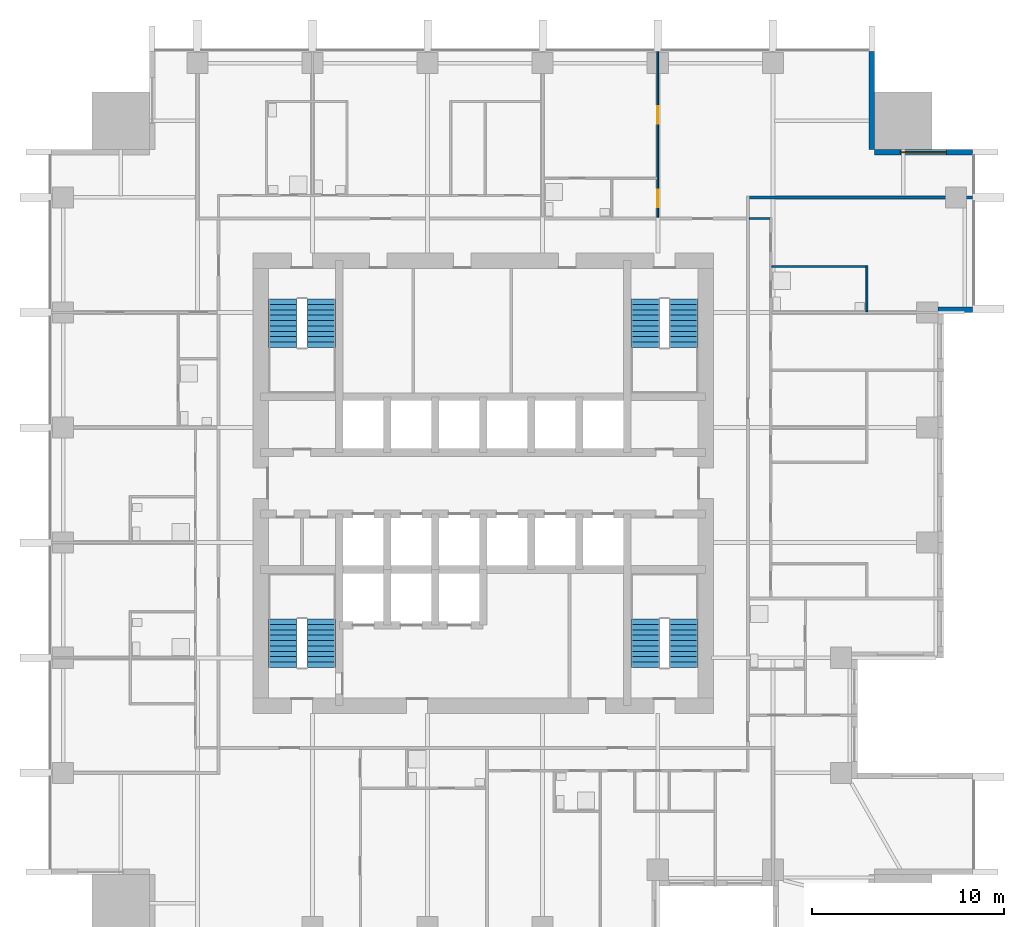
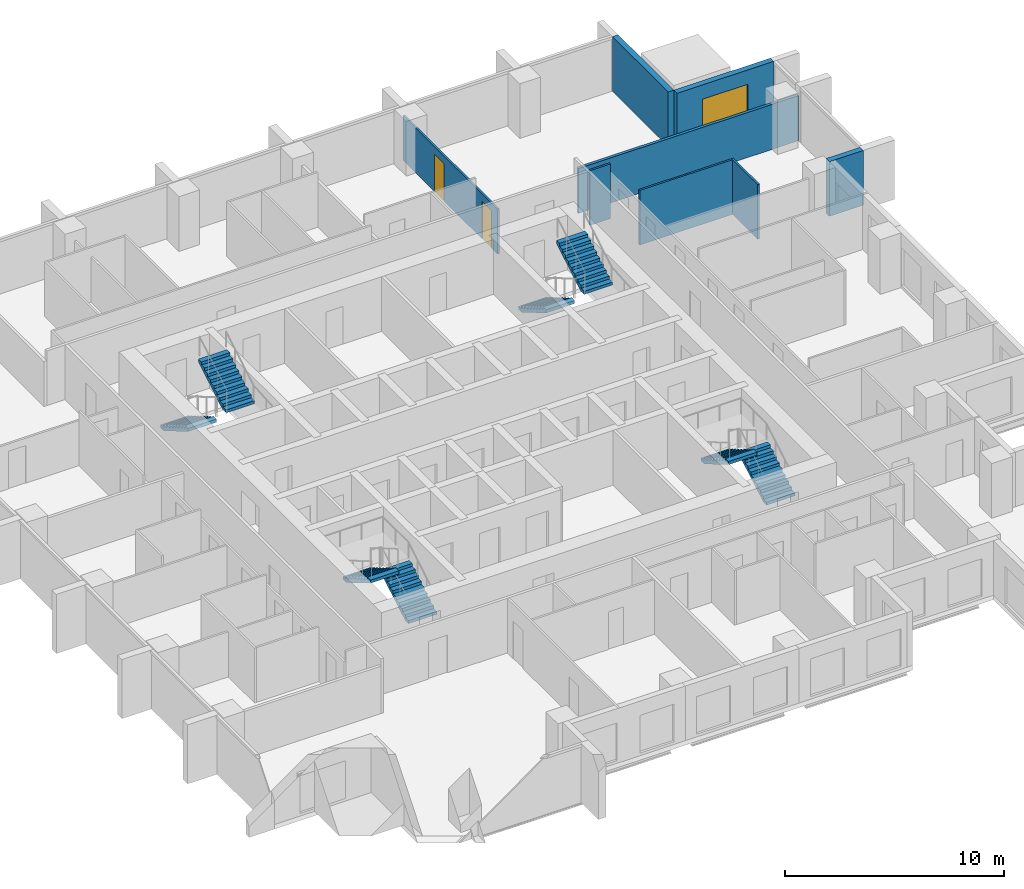
# One storey, part 8 of 10: 8 stair flights, 8 walls, 2 doors, 1 window, 3 openings, 4 elements without a shape of their own.
"""IFC4 building model written with IfcOpenShell, lengths in metres."""

from ifc_helpers import new_model, si_unit, direction, frame, frame_2d, origin, place, context, subcontext, project, spatial, polyline, rectangle, outline, extrude, material, layer, layer_set, type_object, element, fill, aggregate, save


model = new_model("IFC4")

# Units and contexts
model_context = context("Model", 3, precision=1e-05, world=origin(), true_north=direction((0.0, 1.0)))
body_context = subcontext(model_context, "Body", "Model", "MODEL_VIEW")
ifc_project = project(units=[si_unit("LENGTHUNIT", "METRE"), si_unit("AREAUNIT", "SQUARE_METRE"), si_unit("VOLUMEUNIT", "CUBIC_METRE"), si_unit("PLANEANGLEUNIT", "RADIAN"), si_unit("MASSUNIT", "GRAM", prefix="KILO")], contexts=[model_context])

# Site, building, storey
site_placement = place(None, origin())
site = spatial("IfcSite", under=ifc_project, at=site_placement, CompositionType="ELEMENT")
building_placement = place(site_placement, origin())
building = spatial("IfcBuilding", under=site, at=building_placement, Name="Amberfall Residences", CompositionType="ELEMENT")
storey_placement = place(building_placement, frame((0.0, 0.0, 82.0)))
storey = spatial("IfcBuildingStorey", under=building, at=storey_placement, Name="L21", CompositionType="ELEMENT", Elevation=82.0)

# Wall
ifc_material_1 = material(Name="Pale stone cladding on insulated backing", Category="masonry")
ifc_layer_1 = layer(ifc_material_1, 0.300048828125)
ifc_layer_set_1 = layer_set([ifc_layer_1], Name="Bronze clad wall 300")
wall_type_1 = type_object("IfcWallType", Name="Bronze clad wall 300", PredefinedType="SOLIDWALL", material=ifc_layer_set_1)
wall_1_placement = place(storey_placement, frame((98.199951171875, 54.550048828125, 0.0), z_axis=(0.0, 0.0, 1.0), x_axis=(1.0, 0.0, 0.0)))
element("IfcWall", 1, at=wall_1_placement, inside=storey, type_object=wall_type_1, Name="External wall L21 E", PredefinedType="SOLIDWALL", context=body_context, shape_type="SweptSolid", body=[
    extrude(rectangle(XDim=1.800048828125, YDim=0.300048828125, at=frame_2d((0.89990234375, 0.0))), origin(), (0.0, 0.0, 1.0), 3.050048828125),
])

# Wall, opening, window
wall_2_placement = place(storey_placement, frame((100.0, 62.75, 0.0), z_axis=(0.0, 0.0, 1.0), x_axis=(-1.0, 0.0, 0.0)))
wall_2 = element("IfcWall", 2, at=wall_2_placement, inside=storey, type_object=wall_type_1, Name="External wall L21 NE", PredefinedType="SOLIDWALL", context=body_context, shape_type="SweptSolid", body=[
    extrude(rectangle(XDim=5.10009765625, YDim=0.300048828125, at=frame_2d((2.550048828125, 0.0))), origin(), (0.0, 0.0, 1.0), 3.050048828125),
])
opening_1_placement = place(wall_2_placement, frame((1.35009765625, 0.0, 0.14990234375)))
opening_1 = element("IfcOpeningElement", 3, at=opening_1_placement, cuts=wall_2, Name="Opening WN5", PredefinedType="OPENING", context=body_context, shape_type="SweptSolid", body=[
    extrude(rectangle(XDim=2.39990234375, YDim=2.10009765625, at=frame_2d((1.199951171875, 1.050048828125))), frame((0.0, 0.159912109375, 0.0), z_axis=(0.0, -1.0, 0.0), x_axis=(1.0, 0.0, 0.0)), (0.0, 0.0, 1.0), 0.320068359375),
])
ifc_material_2 = material(Name="Bronze aluminium framed glazing", Category="aluminium")
window_type = type_object("IfcWindowType", Name="Glazed opening 2400 x 2100 bronze", PartitioningType="DOUBLE_PANEL_VERTICAL", PredefinedType="WINDOW", material=ifc_material_2)
window_placement = place(opening_1_placement, origin())
window = element("IfcWindow", 4, at=window_placement, inside=storey, type_object=window_type, Name="Window L21 NE", OverallHeight=2.10009765625, OverallWidth=2.39990234375, PartitioningType="DOUBLE_PANEL_VERTICAL", PredefinedType="WINDOW", context=body_context, shape_type="SweptSolid", body=[
    extrude(rectangle(XDim=2.39990234375, YDim=2.10009765625, at=frame_2d((1.199951171875, 1.050048828125))), frame((0.0, 0.030029296875, 0.0), z_axis=(0.0, -1.0, 0.0), x_axis=(1.0, 0.0, 0.0)), (0.0, 0.0, 1.0), 0.06005859375),
])
fill(opening_1, window)

# Wall
wall_3_placement = place(storey_placement, frame((94.75, 62.89990234375, 0.0), z_axis=(0.0, 0.0, 1.0), x_axis=(0.0, 1.0, 0.0)))
element("IfcWall", 5, at=wall_3_placement, inside=storey, type_object=wall_type_1, Name="External wall L21 NE", PredefinedType="SOLIDWALL", context=body_context, shape_type="SweptSolid", body=[
    extrude(rectangle(XDim=5.10009765625, YDim=0.300048828125, at=frame_2d((2.550048828125, 0.0))), origin(), (0.0, 0.0, 1.0), 3.050048828125),
])

# Wall, openings, doors
ifc_material_3 = material(Name="Gypsum board on metal stud")
ifc_layer_2 = layer(ifc_material_3, 0.10009765625)
ifc_layer_set_2 = layer_set([ifc_layer_2], Name="Flat partition 100")
wall_type_2 = type_object("IfcWallType", Name="Flat partition 100", PredefinedType="PARTITIONING", material=ifc_layer_set_2)
wall_4_placement = place(storey_placement, frame((83.60009765625, 59.375, 0.0), z_axis=(0.0, 0.0, 1.0), x_axis=(0.0, 1.0, 0.0)))
wall_4 = element("IfcWall", 6, at=wall_4_placement, inside=storey, type_object=wall_type_2, Name="Partition 017", PredefinedType="PARTITIONING", context=body_context, shape_type="SweptSolid", body=[
    extrude(rectangle(XDim=8.625, YDim=0.10009765625, at=frame_2d((4.3125, 0.0))), origin(), (0.0, 0.0, 1.0), 2.51611328125),
])
opening_2_placement = place(wall_4_placement, frame((0.52490234375, 0.0, 0.0)))
opening_2 = element("IfcOpeningElement", 7, at=opening_2_placement, cuts=wall_4, Name="Opening D41", PredefinedType="OPENING", context=body_context, shape_type="SweptSolid", body=[
    extrude(rectangle(XDim=0.89990234375, YDim=2.10009765625, at=frame_2d((0.449951171875, 1.050048828125))), frame((0.0, 0.06005859375, 0.0), z_axis=(0.0, -1.0, 0.0), x_axis=(1.0, 0.0, 0.0)), (0.0, 0.0, 1.0), 0.1201171875),
])
opening_3_placement = place(wall_4_placement, frame((4.875, 0.0, 0.0)))
opening_3 = element("IfcOpeningElement", 8, at=opening_3_placement, cuts=wall_4, Name="Opening D41", PredefinedType="OPENING", context=body_context, shape_type="SweptSolid", body=[
    extrude(rectangle(XDim=0.89990234375, YDim=2.10009765625, at=frame_2d((0.449951171875, 1.050048828125))), frame((0.0, 0.06005859375, 0.0), z_axis=(0.0, -1.0, 0.0), x_axis=(1.0, 0.0, 0.0)), (0.0, 0.0, 1.0), 0.1201171875),
])
ifc_material_4 = material(Name="Timber", Category="wood")
door_type = type_object("IfcDoorType", Name="Internal door 900 x 2100", OperationType="SINGLE_SWING_LEFT", PredefinedType="DOOR", material=ifc_material_4)
door_1_placement = place(opening_2_placement, origin())
door_1 = element("IfcDoor", 9, at=door_1_placement, inside=storey, type_object=door_type, Name="Door 2106 kitchen", OperationType="SINGLE_SWING_LEFT", OverallHeight=2.10009765625, OverallWidth=0.89990234375, PredefinedType="DOOR", context=body_context, shape_type="SweptSolid", body=[
    extrude(rectangle(XDim=0.89990234375, YDim=2.10009765625, at=frame_2d((0.449951171875, 1.050048828125))), frame((0.0, 0.02490234375, 0.0), z_axis=(0.0, -1.0, 0.0), x_axis=(1.0, 0.0, 0.0)), (0.0, 0.0, 1.0), 0.050048828125),
])
fill(opening_2, door_1)
door_2_placement = place(opening_3_placement, origin())
door_2 = element("IfcDoor", 10, at=door_2_placement, inside=storey, type_object=door_type, Name="Door 2106 bedroom1", OperationType="SINGLE_SWING_LEFT", OverallHeight=2.10009765625, OverallWidth=0.89990234375, PredefinedType="DOOR", context=body_context, shape_type="SweptSolid", body=[
    extrude(rectangle(XDim=0.89990234375, YDim=2.10009765625, at=frame_2d((0.449951171875, 1.050048828125))), frame((0.0, 0.02490234375, 0.0), z_axis=(0.0, -1.0, 0.0), x_axis=(1.0, 0.0, 0.0)), (0.0, 0.0, 1.0), 0.050048828125),
])
fill(opening_3, door_2)

# Walls
wall_5_placement = place(storey_placement, frame((94.5, 54.449951171875, 0.0), z_axis=(0.0, 0.0, 1.0), x_axis=(0.0, 1.0, 0.0)))
element("IfcWall", 11, at=wall_5_placement, inside=storey, type_object=wall_type_2, Name="Partition 025", PredefinedType="PARTITIONING", context=body_context, shape_type="SweptSolid", body=[
    extrude(rectangle(XDim=2.400146484375, YDim=0.10009765625, at=frame_2d((1.2001953125, 0.0))), origin(), (0.0, 0.0, 1.0), 3.050048828125),
])
wall_6_placement = place(storey_placement, frame((88.375, 59.300048828125, 0.0), z_axis=(0.0, 0.0, 1.0), x_axis=(1.0, 0.0, 0.0)))
element("IfcWall", 12, at=wall_6_placement, inside=storey, type_object=wall_type_2, Name="Partition 030", PredefinedType="PARTITIONING", context=body_context, shape_type="SweptSolid", body=[
    extrude(rectangle(XDim=1.074951171875, YDim=0.10009765625, at=frame_2d((0.53759765625, 0.0))), origin(), (0.0, 0.0, 1.0), 3.050048828125),
])
wall_7_placement = place(storey_placement, frame((89.550048828125, 56.800048828125, 0.0), z_axis=(0.0, 0.0, 1.0), x_axis=(1.0, 0.0, 0.0)))
element("IfcWall", 13, at=wall_7_placement, inside=storey, type_object=wall_type_2, Name="Partition 031", PredefinedType="PARTITIONING", context=body_context, shape_type="SweptSolid", body=[
    extrude(rectangle(XDim=4.89990234375, YDim=0.10009765625, at=frame_2d((2.449951171875, 0.0))), origin(), (0.0, 0.0, 1.0), 3.050048828125),
])
ifc_material_5 = material(Name="Blockwork, plastered", Category="masonry")
ifc_layer_3 = layer(ifc_material_5, 0.14990234375)
ifc_layer_set_3 = layer_set([ifc_layer_3], Name="Flat separating wall 150")
wall_type_3 = type_object("IfcWallType", Name="Flat separating wall 150", PredefinedType="PARTITIONING", material=ifc_layer_set_3)
wall_8_placement = place(storey_placement, frame((88.375, 60.39990234375, 0.0), z_axis=(0.0, 0.0, 1.0), x_axis=(1.0, 0.0, 0.0)))
element("IfcWall", 14, at=wall_8_placement, inside=storey, type_object=wall_type_3, Name="Separating wall 057", PredefinedType="PARTITIONING", context=body_context, shape_type="SweptSolid", body=[
    extrude(rectangle(XDim=11.625, YDim=0.14990234375, at=frame_2d((5.8125, 0.0))), origin(), (0.0, 0.0, 1.0), 2.51611328125),
])

# Stair, stair flights
ifc_material_6 = material(Name="Concrete C40", Category="concrete")
stair_type = type_object("IfcStairType", Name="Exit stair 20 risers 165.0 mm", PredefinedType="HALF_TURN_STAIR", material=ifc_material_6)
stair_1_placement = place(storey_placement, origin())
stair_1 = element("IfcStair", 15, at=stair_1_placement, inside=storey, type_object=stair_type, Name="L21 Exit stair 1", PredefinedType="HALF_TURN_STAIR")
stair_flight_type = type_object("IfcStairFlightType", Name="Stair flight 10 risers 165.0 mm", PredefinedType="STRAIGHT", material=ifc_material_6)
stair_flight_1_placement = place(storey_placement, frame((66.050048828125, 35.89990234375, 0.0), z_axis=(0.0, 0.0, 1.0), x_axis=(0.0, 1.0, 0.0)))
stair_flight_1 = element("IfcStairFlight", 16, at=stair_flight_1_placement, type_object=stair_flight_type, Name="ST3 flight 1", NumberOfRisers=10, NumberOfTreads=9, PredefinedType="STRAIGHT", RiserHeight=0.165, TreadLength=0.28, context=body_context, shape_type="SweptSolid", body=[
    extrude(outline(polyline([(0.0, 0.0), (0.0, 0.1650390625), (0.280029296875, 0.1650390625), (0.280029296875, 0.330078125), (0.56005859375, 0.330078125), (0.56005859375, 0.4951171875), (0.840087890625, 0.4951171875), (0.840087890625, 0.659912109375), (1.1201171875, 0.659912109375), (1.1201171875, 0.824951171875), (1.39990234375, 0.824951171875), (1.39990234375, 0.989990234375), (1.679931640625, 0.989990234375), (1.679931640625, 1.155029296875), (1.9599609375, 1.155029296875), (1.9599609375, 1.320068359375), (2.239990234375, 1.320068359375), (2.239990234375, 1.485107421875), (2.52001953125, 1.485107421875), (2.52001953125, 1.64990234375), (2.52001953125, 1.31103515625), (0.295166015625, 0.0), (0.0, 0.0)])), frame((0.0, 0.75, 0.0), z_axis=(0.0, -1.0, 0.0), x_axis=(1.0, 0.0, 0.0)), (0.0, 0.0, 1.0), 1.5),
])
stair_flight_2_placement = place(storey_placement, frame((64.050048828125, 38.419921875, 1.64990234375), z_axis=(0.0, 0.0, 1.0), x_axis=(0.0, -1.0, 0.0)))
stair_flight_2 = element("IfcStairFlight", 17, at=stair_flight_2_placement, type_object=stair_flight_type, Name="ST3 flight 2", NumberOfRisers=10, NumberOfTreads=9, PredefinedType="STRAIGHT", RiserHeight=0.165, TreadLength=0.28, context=body_context, shape_type="SweptSolid", body=[
    extrude(outline(polyline([(0.0, 0.0), (0.0, 0.1650390625), (0.280029296875, 0.1650390625), (0.280029296875, 0.330078125), (0.56005859375, 0.330078125), (0.56005859375, 0.4951171875), (0.840087890625, 0.4951171875), (0.840087890625, 0.659912109375), (1.1201171875, 0.659912109375), (1.1201171875, 0.824951171875), (1.39990234375, 0.824951171875), (1.39990234375, 0.989990234375), (1.679931640625, 0.989990234375), (1.679931640625, 1.155029296875), (1.9599609375, 1.155029296875), (1.9599609375, 1.320068359375), (2.239990234375, 1.320068359375), (2.239990234375, 1.485107421875), (2.52001953125, 1.485107421875), (2.52001953125, 1.64990234375), (2.52001953125, 1.31103515625), (0.295166015625, 0.0), (0.0, 0.0)])), frame((0.0, 0.75, 0.0), z_axis=(0.0, -1.0, 0.0), x_axis=(1.0, 0.0, 0.0)), (0.0, 0.0, 1.0), 1.5),
])
aggregate(stair_1, [stair_flight_1, stair_flight_2])

stair_2_placement = place(storey_placement, origin())
stair_2 = element("IfcStair", 18, at=stair_2_placement, inside=storey, type_object=stair_type, Name="L21 Exit stair 2", PredefinedType="HALF_TURN_STAIR")
stair_flight_3_placement = place(storey_placement, frame((84.949951171875, 35.89990234375, 0.0), z_axis=(0.0, 0.0, 1.0), x_axis=(0.0, 1.0, 0.0)))
stair_flight_3 = element("IfcStairFlight", 19, at=stair_flight_3_placement, type_object=stair_flight_type, Name="ST3 flight 1", NumberOfRisers=10, NumberOfTreads=9, PredefinedType="STRAIGHT", RiserHeight=0.165, TreadLength=0.28, context=body_context, shape_type="SweptSolid", body=[
    extrude(outline(polyline([(0.0, 0.0), (0.0, 0.1650390625), (0.280029296875, 0.1650390625), (0.280029296875, 0.330078125), (0.56005859375, 0.330078125), (0.56005859375, 0.4951171875), (0.840087890625, 0.4951171875), (0.840087890625, 0.659912109375), (1.1201171875, 0.659912109375), (1.1201171875, 0.824951171875), (1.39990234375, 0.824951171875), (1.39990234375, 0.989990234375), (1.679931640625, 0.989990234375), (1.679931640625, 1.155029296875), (1.9599609375, 1.155029296875), (1.9599609375, 1.320068359375), (2.239990234375, 1.320068359375), (2.239990234375, 1.485107421875), (2.52001953125, 1.485107421875), (2.52001953125, 1.64990234375), (2.52001953125, 1.31103515625), (0.295166015625, 0.0), (0.0, 0.0)])), frame((0.0, 0.75, 0.0), z_axis=(0.0, -1.0, 0.0), x_axis=(1.0, 0.0, 0.0)), (0.0, 0.0, 1.0), 1.5),
])
stair_flight_4_placement = place(storey_placement, frame((82.949951171875, 38.419921875, 1.64990234375), z_axis=(0.0, 0.0, 1.0), x_axis=(0.0, -1.0, 0.0)))
stair_flight_4 = element("IfcStairFlight", 20, at=stair_flight_4_placement, type_object=stair_flight_type, Name="ST3 flight 2", NumberOfRisers=10, NumberOfTreads=9, PredefinedType="STRAIGHT", RiserHeight=0.165, TreadLength=0.28, context=body_context, shape_type="SweptSolid", body=[
    extrude(outline(polyline([(0.0, 0.0), (0.0, 0.1650390625), (0.280029296875, 0.1650390625), (0.280029296875, 0.330078125), (0.56005859375, 0.330078125), (0.56005859375, 0.4951171875), (0.840087890625, 0.4951171875), (0.840087890625, 0.659912109375), (1.1201171875, 0.659912109375), (1.1201171875, 0.824951171875), (1.39990234375, 0.824951171875), (1.39990234375, 0.989990234375), (1.679931640625, 0.989990234375), (1.679931640625, 1.155029296875), (1.9599609375, 1.155029296875), (1.9599609375, 1.320068359375), (2.239990234375, 1.320068359375), (2.239990234375, 1.485107421875), (2.52001953125, 1.485107421875), (2.52001953125, 1.64990234375), (2.52001953125, 1.31103515625), (0.295166015625, 0.0), (0.0, 0.0)])), frame((0.0, 0.75, 0.0), z_axis=(0.0, -1.0, 0.0), x_axis=(1.0, 0.0, 0.0)), (0.0, 0.0, 1.0), 1.5),
])
aggregate(stair_2, [stair_flight_3, stair_flight_4])

stair_3_placement = place(storey_placement, origin())
stair_3 = element("IfcStair", 21, at=stair_3_placement, inside=storey, type_object=stair_type, Name="L21 Exit stair 3", PredefinedType="HALF_TURN_STAIR")
stair_flight_5_placement = place(storey_placement, frame((82.949951171875, 55.10009765625, 0.0), z_axis=(0.0, 0.0, 1.0), x_axis=(0.0, -1.0, 0.0)))
stair_flight_5 = element("IfcStairFlight", 22, at=stair_flight_5_placement, type_object=stair_flight_type, Name="ST3 flight 1", NumberOfRisers=10, NumberOfTreads=9, PredefinedType="STRAIGHT", RiserHeight=0.165, TreadLength=0.28, context=body_context, shape_type="SweptSolid", body=[
    extrude(outline(polyline([(0.0, 0.0), (0.0, 0.1650390625), (0.280029296875, 0.1650390625), (0.280029296875, 0.330078125), (0.56005859375, 0.330078125), (0.56005859375, 0.4951171875), (0.840087890625, 0.4951171875), (0.840087890625, 0.659912109375), (1.1201171875, 0.659912109375), (1.1201171875, 0.824951171875), (1.39990234375, 0.824951171875), (1.39990234375, 0.989990234375), (1.679931640625, 0.989990234375), (1.679931640625, 1.155029296875), (1.9599609375, 1.155029296875), (1.9599609375, 1.320068359375), (2.239990234375, 1.320068359375), (2.239990234375, 1.485107421875), (2.52001953125, 1.485107421875), (2.52001953125, 1.64990234375), (2.52001953125, 1.31103515625), (0.295166015625, 0.0), (0.0, 0.0)])), frame((0.0, 0.75, 0.0), z_axis=(0.0, -1.0, 0.0), x_axis=(1.0, 0.0, 0.0)), (0.0, 0.0, 1.0), 1.5),
])
stair_flight_6_placement = place(storey_placement, frame((84.949951171875, 52.580078125, 1.64990234375), z_axis=(0.0, 0.0, 1.0), x_axis=(0.0, 1.0, 0.0)))
stair_flight_6 = element("IfcStairFlight", 23, at=stair_flight_6_placement, type_object=stair_flight_type, Name="ST3 flight 2", NumberOfRisers=10, NumberOfTreads=9, PredefinedType="STRAIGHT", RiserHeight=0.165, TreadLength=0.28, context=body_context, shape_type="SweptSolid", body=[
    extrude(outline(polyline([(0.0, 0.0), (0.0, 0.1650390625), (0.280029296875, 0.1650390625), (0.280029296875, 0.330078125), (0.56005859375, 0.330078125), (0.56005859375, 0.4951171875), (0.840087890625, 0.4951171875), (0.840087890625, 0.659912109375), (1.1201171875, 0.659912109375), (1.1201171875, 0.824951171875), (1.39990234375, 0.824951171875), (1.39990234375, 0.989990234375), (1.679931640625, 0.989990234375), (1.679931640625, 1.155029296875), (1.9599609375, 1.155029296875), (1.9599609375, 1.320068359375), (2.239990234375, 1.320068359375), (2.239990234375, 1.485107421875), (2.52001953125, 1.485107421875), (2.52001953125, 1.64990234375), (2.52001953125, 1.31103515625), (0.295166015625, 0.0), (0.0, 0.0)])), frame((0.0, 0.75, 0.0), z_axis=(0.0, -1.0, 0.0), x_axis=(1.0, 0.0, 0.0)), (0.0, 0.0, 1.0), 1.5),
])
aggregate(stair_3, [stair_flight_5, stair_flight_6])

stair_4_placement = place(storey_placement, origin())
stair_4 = element("IfcStair", 24, at=stair_4_placement, inside=storey, type_object=stair_type, Name="L21 Exit stair 4", PredefinedType="HALF_TURN_STAIR")
stair_flight_7_placement = place(storey_placement, frame((64.050048828125, 55.10009765625, 0.0), z_axis=(0.0, 0.0, 1.0), x_axis=(0.0, -1.0, 0.0)))
stair_flight_7 = element("IfcStairFlight", 25, at=stair_flight_7_placement, type_object=stair_flight_type, Name="ST3 flight 1", NumberOfRisers=10, NumberOfTreads=9, PredefinedType="STRAIGHT", RiserHeight=0.165, TreadLength=0.28, context=body_context, shape_type="SweptSolid", body=[
    extrude(outline(polyline([(0.0, 0.0), (0.0, 0.1650390625), (0.280029296875, 0.1650390625), (0.280029296875, 0.330078125), (0.56005859375, 0.330078125), (0.56005859375, 0.4951171875), (0.840087890625, 0.4951171875), (0.840087890625, 0.659912109375), (1.1201171875, 0.659912109375), (1.1201171875, 0.824951171875), (1.39990234375, 0.824951171875), (1.39990234375, 0.989990234375), (1.679931640625, 0.989990234375), (1.679931640625, 1.155029296875), (1.9599609375, 1.155029296875), (1.9599609375, 1.320068359375), (2.239990234375, 1.320068359375), (2.239990234375, 1.485107421875), (2.52001953125, 1.485107421875), (2.52001953125, 1.64990234375), (2.52001953125, 1.31103515625), (0.295166015625, 0.0), (0.0, 0.0)])), frame((0.0, 0.75, 0.0), z_axis=(0.0, -1.0, 0.0), x_axis=(1.0, 0.0, 0.0)), (0.0, 0.0, 1.0), 1.5),
])
stair_flight_8_placement = place(storey_placement, frame((66.050048828125, 52.580078125, 1.64990234375), z_axis=(0.0, 0.0, 1.0), x_axis=(0.0, 1.0, 0.0)))
stair_flight_8 = element("IfcStairFlight", 26, at=stair_flight_8_placement, type_object=stair_flight_type, Name="ST3 flight 2", NumberOfRisers=10, NumberOfTreads=9, PredefinedType="STRAIGHT", RiserHeight=0.165, TreadLength=0.28, context=body_context, shape_type="SweptSolid", body=[
    extrude(outline(polyline([(0.0, 0.0), (0.0, 0.1650390625), (0.280029296875, 0.1650390625), (0.280029296875, 0.330078125), (0.56005859375, 0.330078125), (0.56005859375, 0.4951171875), (0.840087890625, 0.4951171875), (0.840087890625, 0.659912109375), (1.1201171875, 0.659912109375), (1.1201171875, 0.824951171875), (1.39990234375, 0.824951171875), (1.39990234375, 0.989990234375), (1.679931640625, 0.989990234375), (1.679931640625, 1.155029296875), (1.9599609375, 1.155029296875), (1.9599609375, 1.320068359375), (2.239990234375, 1.320068359375), (2.239990234375, 1.485107421875), (2.52001953125, 1.485107421875), (2.52001953125, 1.64990234375), (2.52001953125, 1.31103515625), (0.295166015625, 0.0), (0.0, 0.0)])), frame((0.0, 0.75, 0.0), z_axis=(0.0, -1.0, 0.0), x_axis=(1.0, 0.0, 0.0)), (0.0, 0.0, 1.0), 1.5),
])
aggregate(stair_4, [stair_flight_7, stair_flight_8])

save(model, "model.ifc")
